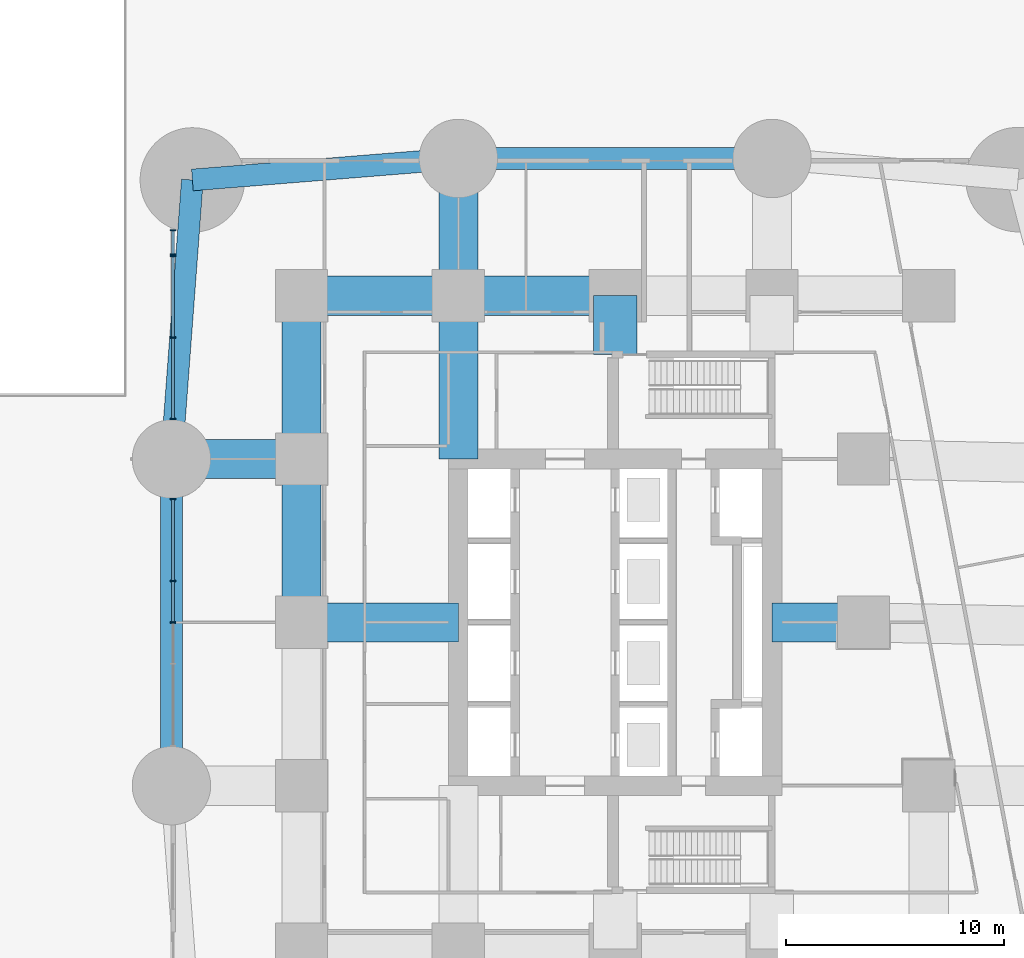
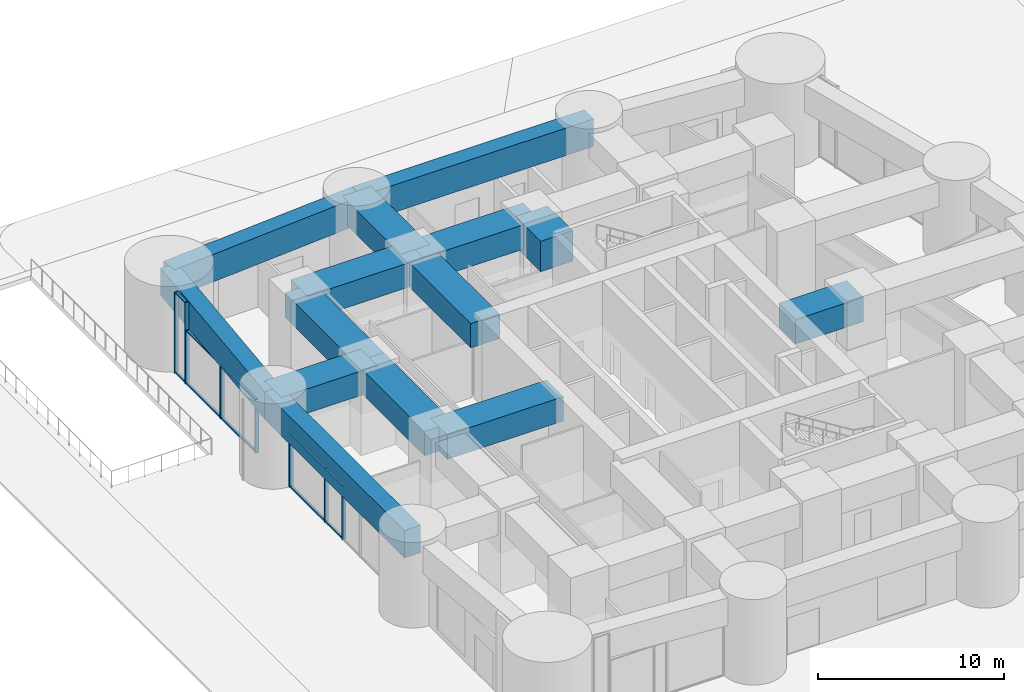
# One storey, part 4 of 16: 18 members, 14 beams, 3 elements without a shape of their own.
"""IFC4 building model written with IfcOpenShell, lengths in metres."""

from ifc_helpers import new_model, si_unit, direction, frame, origin, origin_2d, place, context, subcontext, project, spatial, rectangle, extrude, material, material_profile, profile_set, type_object, element, aggregate, save


model = new_model("IFC4")

# Units and contexts
model_context = context("Model", 3, precision=1e-05, world=origin(), true_north=direction((0.0, 1.0)))
body_context = subcontext(model_context, "Body", "Model", "MODEL_VIEW")
ifc_project = project(units=[si_unit("LENGTHUNIT", "METRE"), si_unit("AREAUNIT", "SQUARE_METRE"), si_unit("VOLUMEUNIT", "CUBIC_METRE"), si_unit("PLANEANGLEUNIT", "RADIAN"), si_unit("MASSUNIT", "GRAM", prefix="KILO")], contexts=[model_context])

# Site, building, storey
site_placement = place(None, origin())
site = spatial("IfcSite", under=ifc_project, at=site_placement, CompositionType="ELEMENT")
building_placement = place(site_placement, origin())
building = spatial("IfcBuilding", under=site, at=building_placement, Name="Sheger Commons Tower", CompositionType="ELEMENT")
storey_placement = place(building_placement, origin())
storey = spatial("IfcBuildingStorey", under=building, at=storey_placement, Name="L00", CompositionType="ELEMENT", Elevation=0.0)

# Beams
ifc_material_1 = material(Name="Concrete C50/60", Category="concrete")
ifc_material_profile_1 = material_profile(ifc_material_1, rectangle(XDim=1.0, YDim=1.800048828125, at=origin_2d()), Name="RC 1000x1800")
ifc_profile_set_1 = profile_set([ifc_material_profile_1], Name="Concrete C50/60")
beam_type_1 = type_object("IfcBeamType", Name="BEAM RC 1000x1800", PredefinedType="BEAM", material=ifc_profile_set_1)
beam_1_placement = place(storey_placement, frame((28.800048828125, 43.800048828125, 4.39990234375), z_axis=(-1.0, 0.0, 0.0), x_axis=(0.0, -1.0, 0.0)))
element("IfcBeam", 1, at=beam_1_placement, inside=storey, type_object=beam_type_1, Name="Beam 5/G-3/G under L01", PredefinedType="BEAM", context=body_context, shape_type="SweptSolid", body=[
    extrude(rectangle(XDim=1.0, YDim=1.800048828125, at=origin_2d()), origin(), (0.0, 0.0, 1.0), 14.400146484375),
])
beam_2_placement = place(storey_placement, frame((14.39990234375, 43.800048828125, 4.39990234375), z_axis=(-0.996756793053, -0.080472948891, 0.0), x_axis=(0.080472948891, -0.996756793053, 0.0)))
element("IfcBeam", 2, at=beam_2_placement, inside=storey, type_object=beam_type_1, Name="Beam 3/G-0.630,44.370 under L01", PredefinedType="BEAM", context=body_context, shape_type="SweptSolid", body=[
    extrude(rectangle(XDim=1.0, YDim=1.800048828125, at=origin_2d()), origin(), (0.0, 0.0, 1.0), 12.253662109375),
])
beam_3_placement = place(storey_placement, frame((2.18603515625, 42.81396484375, 4.39990234375), z_axis=(-0.074781446354, -0.997199947494, 0.0), x_axis=(0.997199947494, -0.074781446354, 0.0)))
element("IfcBeam", 3, at=beam_3_placement, inside=storey, type_object=beam_type_1, Name="Beam 0.630,44.370-1/E under L01", PredefinedType="BEAM", context=body_context, shape_type="SweptSolid", body=[
    extrude(rectangle(XDim=1.0, YDim=1.800048828125, at=origin_2d()), origin(), (0.0, 0.0, 1.0), 12.849853515625),
])
beam_4_placement = place(storey_placement, frame((1.22509765625, 30.0, 4.39990234375), z_axis=(0.0, -1.0, 0.0), x_axis=(1.0, 0.0, 0.0)))
element("IfcBeam", 4, at=beam_4_placement, inside=storey, type_object=beam_type_1, Name="Beam 1/E-1/C under L01", PredefinedType="BEAM", context=body_context, shape_type="SweptSolid", body=[
    extrude(rectangle(XDim=1.0, YDim=1.800048828125, at=origin_2d()), origin(), (0.0, 0.0, 1.0), 15.0),
])
ifc_material_2 = material(Name="Concrete C50/60", Category="concrete")
ifc_material_profile_2 = material_profile(ifc_material_2, rectangle(XDim=1.800048828125, YDim=1.60009765625, at=origin_2d()), Name="RC 1800x1600")
ifc_profile_set_2 = profile_set([ifc_material_profile_2], Name="Concrete C50/60")
beam_type_2 = type_object("IfcBeamType", Name="BEAM RC 1800x1600", PredefinedType="BEAM", material=ifc_profile_set_2)
beam_5_placement = place(storey_placement, frame((7.199951171875, 22.5, 4.5), z_axis=(1.0, 0.0, 0.0), x_axis=(0.0, 1.0, 0.0)))
element("IfcBeam", 5, at=beam_5_placement, inside=storey, type_object=beam_type_2, Name="Beam 2/D-3/D under L01", PredefinedType="BEAM", context=body_context, shape_type="SweptSolid", body=[
    extrude(rectangle(XDim=1.800048828125, YDim=1.60009765625, at=origin_2d()), origin(), (0.0, 0.0, 1.0), 7.199951171875),
])
beam_6_placement = place(storey_placement, frame((28.800048828125, 22.5, 4.5), z_axis=(1.0, 0.0, 0.0), x_axis=(0.0, 1.0, 0.0)))
element("IfcBeam", 6, at=beam_6_placement, inside=storey, type_object=beam_type_2, Name="Beam 5/D-6-3000/D under L01", PredefinedType="BEAM", context=body_context, shape_type="SweptSolid", body=[
    extrude(rectangle(XDim=1.800048828125, YDim=1.60009765625, at=origin_2d()), origin(), (0.0, 0.0, 1.0), 4.199951171875),
])
beam_7_placement = place(storey_placement, frame((1.22509765625, 30.0, 4.5), z_axis=(1.0, 0.0, 0.0), x_axis=(0.0, 1.0, 0.0)))
element("IfcBeam", 7, at=beam_7_placement, inside=storey, type_object=beam_type_2, Name="Beam 1/E-2/E under L01", PredefinedType="BEAM", context=body_context, shape_type="SweptSolid", body=[
    extrude(rectangle(XDim=1.800048828125, YDim=1.60009765625, at=origin_2d()), origin(), (0.0, 0.0, 1.0), 5.974853515625),
])
beam_8_placement = place(storey_placement, frame((7.199951171875, 37.5, 4.5), z_axis=(1.0, 0.0, 0.0), x_axis=(0.0, 1.0, 0.0)))
element("IfcBeam", 8, at=beam_8_placement, inside=storey, type_object=beam_type_2, Name="Beam 2/F-3/F under L01", PredefinedType="BEAM", context=body_context, shape_type="SweptSolid", body=[
    extrude(rectangle(XDim=1.800048828125, YDim=1.60009765625, at=origin_2d()), origin(), (0.0, 0.0, 1.0), 7.199951171875),
])
beam_9_placement = place(storey_placement, frame((14.39990234375, 37.5, 4.5), z_axis=(1.0, 0.0, 0.0), x_axis=(0.0, 1.0, 0.0)))
element("IfcBeam", 9, at=beam_9_placement, inside=storey, type_object=beam_type_2, Name="Beam 3/F-4/F under L01", PredefinedType="BEAM", context=body_context, shape_type="SweptSolid", body=[
    extrude(rectangle(XDim=1.800048828125, YDim=1.60009765625, at=origin_2d()), origin(), (0.0, 0.0, 1.0), 7.2001953125),
])
for number, where, z_axis, x_axis, name in (
    (10, (7.199951171875, 22.5, 4.5), (0.0, 1.0, 0.0), (-1.0, 0.0, 0.0), "Beam 2/D-2/E under L01"),
    (11, (7.199951171875, 30.0, 4.5), (0.0, 1.0, 0.0), (-1.0, 0.0, 0.0), "Beam 2/E-2/F under L01"),
    (12, (14.39990234375, 30.0, 4.5), (0.0, 1.0, 0.0), (-1.0, 0.0, 0.0), "Beam 3/E-3/F under L01"),
):
    element("IfcBeam", number, at=place(storey_placement, frame(where, z_axis=z_axis, x_axis=x_axis)), inside=storey, type_object=beam_type_2, Name=name, PredefinedType="BEAM", context=body_context, shape_type="SweptSolid", body=[
        extrude(rectangle(XDim=1.800048828125, YDim=1.60009765625, at=origin_2d()), origin(), (0.0, 0.0, 1.0), 7.5),
    ])
beam_10_placement = place(storey_placement, frame((14.39990234375, 37.5, 4.5), z_axis=(0.0, 1.0, 0.0), x_axis=(-1.0, 0.0, 0.0)))
element("IfcBeam", 13, at=beam_10_placement, inside=storey, type_object=beam_type_2, Name="Beam 3/F-3/G under L01", PredefinedType="BEAM", context=body_context, shape_type="SweptSolid", body=[
    extrude(rectangle(XDim=1.800048828125, YDim=1.60009765625, at=origin_2d()), origin(), (0.0, 0.0, 1.0), 6.300048828125),
])
ifc_material_3 = material(Name="Concrete C50/60", Category="concrete")
ifc_material_profile_3 = material_profile(ifc_material_3, rectangle(XDim=2.0, YDim=2.0, at=origin_2d()), Name="RC 2000x2000")
ifc_profile_set_3 = profile_set([ifc_material_profile_3], Name="Concrete C50/60")
beam_type_3 = type_object("IfcBeamType", Name="BEAM RC 2000x2000", PredefinedType="BEAM", material=ifc_profile_set_3)
beam_11_placement = place(storey_placement, frame((21.60009765625, 34.800048828125, 4.300048828125), z_axis=(0.0, 1.0, 0.0), x_axis=(-1.0, 0.0, 0.0)))
element("IfcBeam", 14, at=beam_11_placement, inside=storey, type_object=beam_type_3, Name="Beam 21.600,34.800-4/F under L01", PredefinedType="BEAM", context=body_context, shape_type="SweptSolid", body=[
    extrude(rectangle(XDim=2.0, YDim=2.0, at=origin_2d()), origin(), (0.0, 0.0, 1.0), 2.699951171875),
])

# Curtain wall, members
ifc_material_4 = material(Name="Black aluminium curtain wall, dark tinted glazing", Category="aluminium")
curtain_wall_type = type_object("IfcCurtainWallType", Name="CURTAIN WALL CW1 SHOPFRONT", PredefinedType="USERDEFINED", material=ifc_material_4)
curtain_wall_1_placement = place(storey_placement, origin())
curtain_wall_1 = element("IfcCurtainWall", 15, at=curtain_wall_1_placement, inside=storey, type_object=curtain_wall_type, Name="Curtain Wall Cw1 Shopfront W1 L00", ObjectType="STICK CURTAIN WALL", PredefinedType="USERDEFINED")
ifc_material_5 = material(Name="Black anodised aluminium", Category="aluminium")
ifc_material_profile_4 = material_profile(ifc_material_5, rectangle(XDim=0.25, YDim=0.06494140625, at=origin_2d()), Name="AL 65x250")
ifc_profile_set_4 = profile_set([ifc_material_profile_4], Name="Black anodised aluminium")
member_type_1 = type_object("IfcMemberType", Name="MULLION AL 65x250", PredefinedType="MULLION", material=ifc_profile_set_4)
member_1_placement = place(storey_placement, frame((1.300048828125, 40.505615234375, 0.0), z_axis=(0.0, 0.0, 1.0), x_axis=(1.0, 0.0, 0.0)))
member_1 = element("IfcMember", 16, at=member_1_placement, type_object=member_type_1, Name="CW1 mullion 1", PredefinedType="MULLION", context=body_context, shape_type="SweptSolid", body=[
    extrude(rectangle(XDim=0.25, YDim=0.06494140625, at=origin_2d()), origin(), (0.0, 0.0, 1.0), 5.300048828125),
])
member_2_placement = place(storey_placement, frame((1.300048828125, 39.385498046875, 0.0), z_axis=(0.0, 0.0, 1.0), x_axis=(1.0, 0.0, 0.0)))
member_2 = element("IfcMember", 17, at=member_2_placement, type_object=member_type_1, Name="CW1 mullion 2", PredefinedType="MULLION", context=body_context, shape_type="SweptSolid", body=[
    extrude(rectangle(XDim=0.25, YDim=0.06494140625, at=origin_2d()), origin(), (0.0, 0.0, 1.0), 5.300048828125),
])

curtain_wall_2_placement = place(storey_placement, origin())
curtain_wall_2 = element("IfcCurtainWall", 18, at=curtain_wall_2_placement, inside=storey, type_object=curtain_wall_type, Name="Curtain Wall Cw1 Shopfront W1 L00", ObjectType="STICK CURTAIN WALL", PredefinedType="USERDEFINED")
member_3_placement = place(storey_placement, frame((1.300048828125, 39.320556640625, 0.0), z_axis=(0.0, 0.0, 1.0), x_axis=(1.0, 0.0, 0.0)))
member_3 = element("IfcMember", 19, at=member_3_placement, type_object=member_type_1, Name="CW1 mullion 1", PredefinedType="MULLION", context=body_context, shape_type="SweptSolid", body=[
    extrude(rectangle(XDim=0.25, YDim=0.06494140625, at=origin_2d()), origin(), (0.0, 0.0, 1.0), 3.5),
])
member_4_placement = place(storey_placement, frame((1.300048828125, 35.576904296875, 0.0), z_axis=(0.0, 0.0, 1.0), x_axis=(1.0, 0.0, 0.0)))
member_4 = element("IfcMember", 20, at=member_4_placement, type_object=member_type_1, Name="CW1 mullion 2", PredefinedType="MULLION", context=body_context, shape_type="SweptSolid", body=[
    extrude(rectangle(XDim=0.25, YDim=0.06494140625, at=origin_2d()), origin(), (0.0, 0.0, 1.0), 3.5),
])
member_5_placement = place(storey_placement, frame((1.300048828125, 31.83349609375, 0.0), z_axis=(0.0, 0.0, 1.0), x_axis=(1.0, 0.0, 0.0)))
member_5 = element("IfcMember", 21, at=member_5_placement, type_object=member_type_1, Name="CW1 mullion 3", PredefinedType="MULLION", context=body_context, shape_type="SweptSolid", body=[
    extrude(rectangle(XDim=0.25, YDim=0.06494140625, at=origin_2d()), origin(), (0.0, 0.0, 1.0), 3.5),
])

curtain_wall_3_placement = place(storey_placement, origin())
curtain_wall_3 = element("IfcCurtainWall", 22, at=curtain_wall_3_placement, inside=storey, type_object=curtain_wall_type, Name="Curtain Wall Cw1 Shopfront W1 L00", ObjectType="STICK CURTAIN WALL", PredefinedType="USERDEFINED")
member_6_placement = place(storey_placement, frame((1.300048828125, 28.16650390625, 0.0), z_axis=(0.0, 0.0, 1.0), x_axis=(1.0, 0.0, 0.0)))
member_6 = element("IfcMember", 23, at=member_6_placement, type_object=member_type_1, Name="CW1 mullion 1", PredefinedType="MULLION", context=body_context, shape_type="SweptSolid", body=[
    extrude(rectangle(XDim=0.25, YDim=0.06494140625, at=origin_2d()), origin(), (0.0, 0.0, 1.0), 3.5),
])
member_7_placement = place(storey_placement, frame((1.300048828125, 24.39990234375, 0.0), z_axis=(0.0, 0.0, 1.0), x_axis=(1.0, 0.0, 0.0)))
member_7 = element("IfcMember", 24, at=member_7_placement, type_object=member_type_1, Name="CW1 mullion 2", PredefinedType="MULLION", context=body_context, shape_type="SweptSolid", body=[
    extrude(rectangle(XDim=0.25, YDim=0.06494140625, at=origin_2d()), origin(), (0.0, 0.0, 1.0), 3.5),
])
member_8_placement = place(storey_placement, frame((1.300048828125, 22.5, 0.0), z_axis=(0.0, 0.0, 1.0), x_axis=(1.0, 0.0, 0.0)))
member_8 = element("IfcMember", 25, at=member_8_placement, type_object=member_type_1, Name="CW1 mullion 3", PredefinedType="MULLION", context=body_context, shape_type="SweptSolid", body=[
    extrude(rectangle(XDim=0.25, YDim=0.06494140625, at=origin_2d()), origin(), (0.0, 0.0, 1.0), 3.5),
])

# Member
ifc_material_6 = material(Name="Black anodised aluminium", Category="aluminium")
ifc_material_profile_5 = material_profile(ifc_material_6, rectangle(XDim=0.14990234375, YDim=0.06494140625, at=origin_2d()), Name="AL 65x150")
ifc_profile_set_5 = profile_set([ifc_material_profile_5], Name="Black anodised aluminium")
member_type_2 = type_object("IfcMemberType", Name="TRANSOM AL 65x150", PredefinedType="USERDEFINED", material=ifc_profile_set_5)
member_9_placement = place(storey_placement, frame((1.300048828125, 40.472900390625, 0.032470703125), z_axis=(0.0, -1.0, 0.0), x_axis=(1.0, 0.0, 0.0)))
member_9 = element("IfcMember", 26, at=member_9_placement, type_object=member_type_2, Name="CW1 transom 1.1", ObjectType="TRANSOM", PredefinedType="USERDEFINED", context=body_context, shape_type="SweptSolid", body=[
    extrude(rectangle(XDim=0.14990234375, YDim=0.06494140625, at=origin_2d()), origin(), (0.0, 0.0, 1.0), 1.054931640625),
])

member_10_placement = place(storey_placement, frame((1.300048828125, 40.472900390625, 5.267578125), z_axis=(0.0, -1.0, 0.0), x_axis=(1.0, 0.0, 0.0)))
member_10 = element("IfcMember", 27, at=member_10_placement, type_object=member_type_2, Name="CW1 transom 1.2", ObjectType="TRANSOM", PredefinedType="USERDEFINED", context=body_context, shape_type="SweptSolid", body=[
    extrude(rectangle(XDim=0.14990234375, YDim=0.06494140625, at=origin_2d()), origin(), (0.0, 0.0, 1.0), 1.054931640625),
])

aggregate(curtain_wall_1, [member_1, member_2, member_9, member_10])

member_11_placement = place(storey_placement, frame((1.300048828125, 39.2880859375, 0.032470703125), z_axis=(0.0, -1.0, 0.0), x_axis=(1.0, 0.0, 0.0)))
member_11 = element("IfcMember", 28, at=member_11_placement, type_object=member_type_2, Name="CW1 transom 1.1", ObjectType="TRANSOM", PredefinedType="USERDEFINED", context=body_context, shape_type="SweptSolid", body=[
    extrude(rectangle(XDim=0.14990234375, YDim=0.06494140625, at=origin_2d()), origin(), (0.0, 0.0, 1.0), 3.678466796875),
])

member_12_placement = place(storey_placement, frame((1.300048828125, 39.2880859375, 3.467529296875), z_axis=(0.0, -1.0, 0.0), x_axis=(1.0, 0.0, 0.0)))
member_12 = element("IfcMember", 29, at=member_12_placement, type_object=member_type_2, Name="CW1 transom 1.2", ObjectType="TRANSOM", PredefinedType="USERDEFINED", context=body_context, shape_type="SweptSolid", body=[
    extrude(rectangle(XDim=0.14990234375, YDim=0.06494140625, at=origin_2d()), origin(), (0.0, 0.0, 1.0), 3.678466796875),
])

member_13_placement = place(storey_placement, frame((1.300048828125, 35.54443359375, 0.032470703125), z_axis=(0.0, -1.0, 0.0), x_axis=(1.0, 0.0, 0.0)))
member_13 = element("IfcMember", 30, at=member_13_placement, type_object=member_type_2, Name="CW1 transom 2.1", ObjectType="TRANSOM", PredefinedType="USERDEFINED", context=body_context, shape_type="SweptSolid", body=[
    extrude(rectangle(XDim=0.14990234375, YDim=0.06494140625, at=origin_2d()), origin(), (0.0, 0.0, 1.0), 3.678466796875),
])

member_14_placement = place(storey_placement, frame((1.300048828125, 35.54443359375, 3.467529296875), z_axis=(0.0, -1.0, 0.0), x_axis=(1.0, 0.0, 0.0)))
member_14 = element("IfcMember", 31, at=member_14_placement, type_object=member_type_2, Name="CW1 transom 2.2", ObjectType="TRANSOM", PredefinedType="USERDEFINED", context=body_context, shape_type="SweptSolid", body=[
    extrude(rectangle(XDim=0.14990234375, YDim=0.06494140625, at=origin_2d()), origin(), (0.0, 0.0, 1.0), 3.678466796875),
])

aggregate(curtain_wall_2, [member_3, member_4, member_5, member_11, member_12, member_13, member_14])

member_15_placement = place(storey_placement, frame((1.300048828125, 28.134033203125, 0.032470703125), z_axis=(0.0, -1.0, 0.0), x_axis=(1.0, 0.0, 0.0)))
member_15 = element("IfcMember", 32, at=member_15_placement, type_object=member_type_2, Name="CW1 transom 1.1", ObjectType="TRANSOM", PredefinedType="USERDEFINED", context=body_context, shape_type="SweptSolid", body=[
    extrude(rectangle(XDim=0.14990234375, YDim=0.06494140625, at=origin_2d()), origin(), (0.0, 0.0, 1.0), 3.701416015625),
])

member_16_placement = place(storey_placement, frame((1.300048828125, 28.134033203125, 3.467529296875), z_axis=(0.0, -1.0, 0.0), x_axis=(1.0, 0.0, 0.0)))
member_16 = element("IfcMember", 33, at=member_16_placement, type_object=member_type_2, Name="CW1 transom 1.2", ObjectType="TRANSOM", PredefinedType="USERDEFINED", context=body_context, shape_type="SweptSolid", body=[
    extrude(rectangle(XDim=0.14990234375, YDim=0.06494140625, at=origin_2d()), origin(), (0.0, 0.0, 1.0), 3.701416015625),
])

member_17_placement = place(storey_placement, frame((1.300048828125, 24.367431640625, 0.032470703125), z_axis=(0.0, -1.0, 0.0), x_axis=(1.0, 0.0, 0.0)))
member_17 = element("IfcMember", 34, at=member_17_placement, type_object=member_type_2, Name="CW1 transom 2.1", ObjectType="TRANSOM", PredefinedType="USERDEFINED", context=body_context, shape_type="SweptSolid", body=[
    extrude(rectangle(XDim=0.14990234375, YDim=0.06494140625, at=origin_2d()), origin(), (0.0, 0.0, 1.0), 1.8349609375),
])

member_18_placement = place(storey_placement, frame((1.300048828125, 24.367431640625, 3.467529296875), z_axis=(0.0, -1.0, 0.0), x_axis=(1.0, 0.0, 0.0)))
member_18 = element("IfcMember", 35, at=member_18_placement, type_object=member_type_2, Name="CW1 transom 2.2", ObjectType="TRANSOM", PredefinedType="USERDEFINED", context=body_context, shape_type="SweptSolid", body=[
    extrude(rectangle(XDim=0.14990234375, YDim=0.06494140625, at=origin_2d()), origin(), (0.0, 0.0, 1.0), 1.8349609375),
])

aggregate(curtain_wall_3, [member_6, member_7, member_8, member_15, member_16, member_17, member_18])

save(model, "model.ifc")
